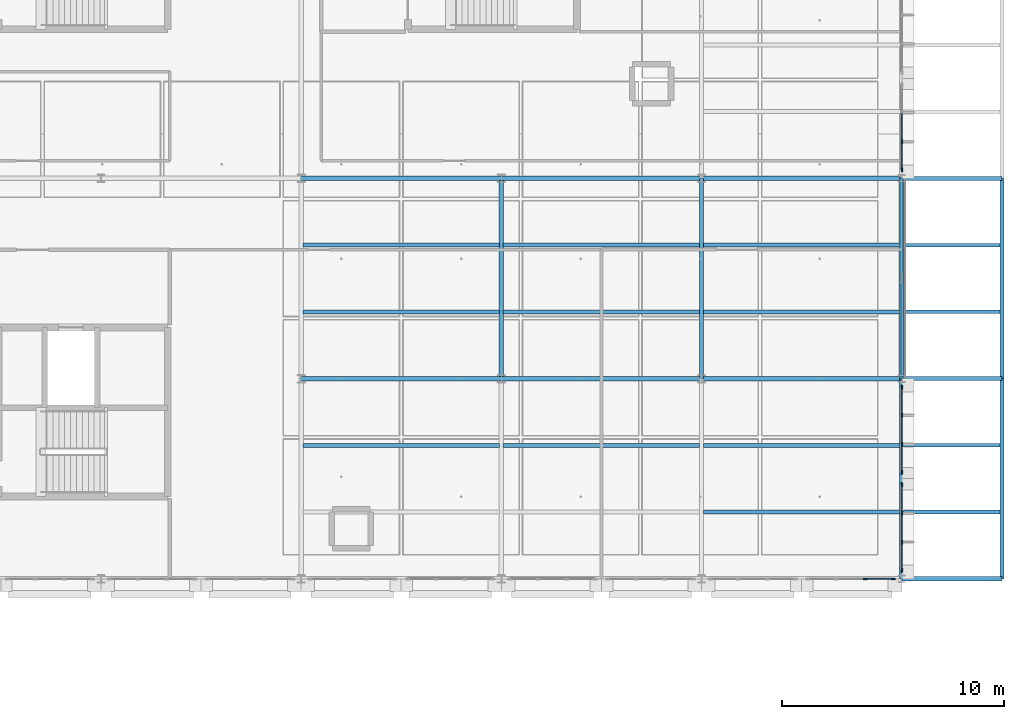
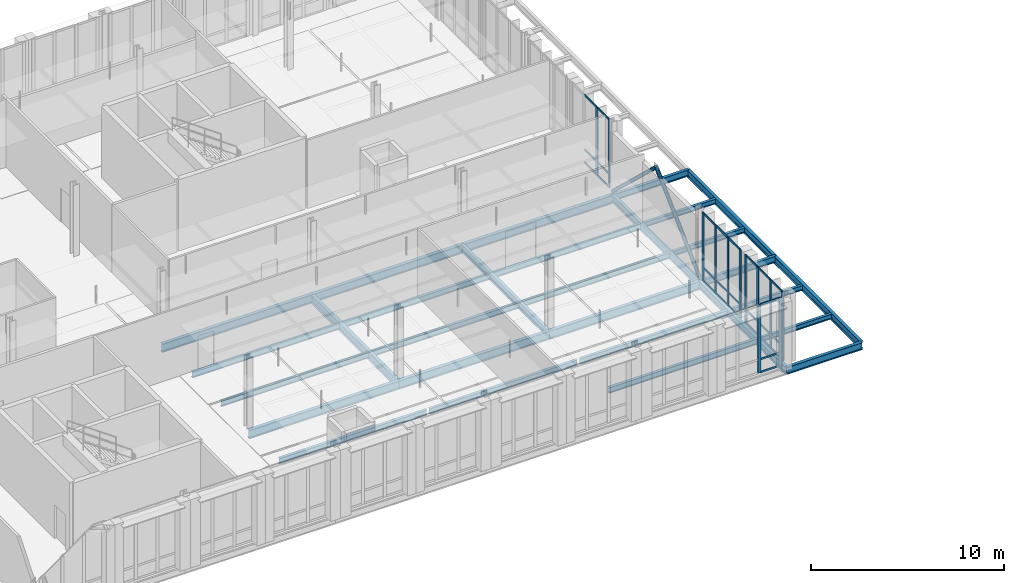
# One storey, part 68 of 140: 41 members, 29 beams, 4 elements without a shape of their own.
"""IFC4 building model written with IfcOpenShell, lengths in metres."""

from ifc_helpers import new_model, si_unit, direction, frame, origin, origin_2d, place, context, subcontext, project, spatial, rectangle, hollow_circle, i_section, extrude, material, material_profile, profile_set, type_object, element, aggregate, save


model = new_model("IFC4")

# Units and contexts
model_context = context("Model", 3, precision=1e-05, world=origin(), true_north=direction((0.0, 1.0)))
body_context = subcontext(model_context, "Body", "Model", "MODEL_VIEW")
ifc_project = project(units=[si_unit("LENGTHUNIT", "METRE"), si_unit("AREAUNIT", "SQUARE_METRE"), si_unit("VOLUMEUNIT", "CUBIC_METRE"), si_unit("PLANEANGLEUNIT", "RADIAN"), si_unit("MASSUNIT", "GRAM", prefix="KILO"), si_unit("THERMODYNAMICTEMPERATUREUNIT", "KELVIN"), si_unit("POWERUNIT", "WATT")], contexts=[model_context])

# Site, building, storey
site_placement = place(None, origin())
site = spatial("IfcSite", under=ifc_project, at=site_placement, CompositionType="ELEMENT")
building_placement = place(site_placement, origin())
building = spatial("IfcBuilding", under=site, at=building_placement, Name="Tallowbark Science Centre", CompositionType="ELEMENT")
storey_placement = place(building_placement, frame((0.0, 0.0, 9.89990234375)))
storey = spatial("IfcBuildingStorey", under=building, at=storey_placement, Name="L02", CompositionType="ELEMENT", Elevation=9.89990234375)

# Beams
ifc_material_1 = material(Name="Structural Steel Grade 300PLUS (300 MPa)", Category="steel")
ifc_material_profile_1 = material_profile(ifc_material_1, i_section(OverallWidth=0.177734375, OverallDepth=0.406494140625, WebThickness=0.0078125, FlangeThickness=0.0126953125, FilletRadius=0.011474609375, at=origin_2d()), Name="410UB59.7")
ifc_profile_set_1 = profile_set([ifc_material_profile_1], Name="Structural Steel Grade 300PLUS (300 MPa)")
beam_type_1 = type_object("IfcBeamType", Name="BM-UB410", PredefinedType="BEAM", material=ifc_profile_set_1)
for number, where, z_axis, x_axis, name in (
    (1, (157.5, 81.0, -0.383056640625), (1.0, 0.0, 0.0), (0.0, 1.0, 0.0), "Primary Girder GRDX-L02-1575-1620-810"),
    (2, (157.5, 90.0, -0.383056640625), (1.0, 0.0, 0.0), (0.0, 1.0, 0.0), "Primary Girder GRDX-L02-1575-1620-900"),
):
    element("IfcBeam", number, at=place(storey_placement, frame(where, z_axis=z_axis, x_axis=x_axis)), inside=storey, type_object=beam_type_1, Name=name, PredefinedType="BEAM", context=body_context, shape_type="SweptSolid", body=[
        extrude(i_section(OverallWidth=0.177734375, OverallDepth=0.406494140625, WebThickness=0.0078125, FlangeThickness=0.0126953125, FilletRadius=0.011474609375, at=origin_2d()), origin(), (0.0, 0.0, 1.0), 4.5),
    ])
ifc_material_profile_2 = material_profile(ifc_material_1, i_section(OverallWidth=0.208984375, OverallDepth=0.532958984375, WebThickness=0.01025390625, FlangeThickness=0.015625, FilletRadius=0.013916015625, at=origin_2d()), Name="530UB92.4")
ifc_profile_set_2 = profile_set([ifc_material_profile_2], Name="Structural Steel Grade 300PLUS (300 MPa)")
beam_type_2 = type_object("IfcBeamType", Name="BM-UB530A", PredefinedType="BEAM", material=ifc_profile_set_2)
for number, where, z_axis, x_axis, name in (
    (3, (130.5, 81.0, -0.4462890625), (1.0, 0.0, 0.0), (0.0, 1.0, 0.0), "Primary Girder GRDX-L02-1305-1395-810"),
    (4, (139.5, 81.0, -0.4462890625), (1.0, 0.0, 0.0), (0.0, 1.0, 0.0), "Primary Girder GRDX-L02-1395-1485-810"),
    (5, (148.5, 81.0, -0.4462890625), (1.0, 0.0, 0.0), (0.0, 1.0, 0.0), "Primary Girder GRDX-L02-1485-1575-810"),
    (6, (130.5, 90.0, -0.4462890625), (1.0, 0.0, 0.0), (0.0, 1.0, 0.0), "Primary Girder GRDX-L02-1305-1395-900"),
    (7, (139.5, 90.0, -0.4462890625), (1.0, 0.0, 0.0), (0.0, 1.0, 0.0), "Primary Girder GRDX-L02-1395-1485-900"),
    (8, (148.5, 90.0, -0.4462890625), (1.0, 0.0, 0.0), (0.0, 1.0, 0.0), "Primary Girder GRDX-L02-1485-1575-900"),
):
    element("IfcBeam", number, at=place(storey_placement, frame(where, z_axis=z_axis, x_axis=x_axis)), inside=storey, type_object=beam_type_2, Name=name, PredefinedType="BEAM", context=body_context, shape_type="SweptSolid", body=[
        extrude(i_section(OverallWidth=0.208984375, OverallDepth=0.532958984375, WebThickness=0.01025390625, FlangeThickness=0.015625, FilletRadius=0.013916015625, at=origin_2d()), origin(), (0.0, 0.0, 1.0), 9.0),
    ])
ifc_material_profile_3 = material_profile(ifc_material_1, i_section(OverallWidth=0.208740234375, OverallDepth=0.5283203125, WebThickness=0.009521484375, FlangeThickness=0.01318359375, FilletRadius=0.013916015625, at=origin_2d()), Name="530UB82.0")
ifc_profile_set_3 = profile_set([ifc_material_profile_3], Name="Structural Steel Grade 300PLUS (300 MPa)")
beam_type_3 = type_object("IfcBeamType", Name="BM-UB530B", PredefinedType="BEAM", material=ifc_profile_set_3)
beam_1_placement = place(storey_placement, frame((139.5, 81.0, -0.444091796875), z_axis=(0.0, 1.0, 0.0), x_axis=(-1.0, 0.0, 0.0)))
element("IfcBeam", 9, at=beam_1_placement, inside=storey, type_object=beam_type_3, Name="Primary Girder GRDY-L02-1395-810-900", PredefinedType="BEAM", context=body_context, shape_type="SweptSolid", body=[
    extrude(i_section(OverallWidth=0.208740234375, OverallDepth=0.5283203125, WebThickness=0.009521484375, FlangeThickness=0.01318359375, FilletRadius=0.013916015625, at=origin_2d()), origin(), (0.0, 0.0, 1.0), 9.0),
])

# Members
ifc_material_2 = material(Name="Structural Steel Grade C350L0 (350 MPa)", Category="steel")
ifc_material_profile_4 = material_profile(ifc_material_2, hollow_circle(Radius=0.109619140625, WallThickness=0.00830078125, at=origin_2d()), Name="219.1x8.2CHS")
ifc_profile_set_4 = profile_set([ifc_material_profile_4], Name="Structural Steel Grade C350L0 (350 MPa)")
member_type_1 = type_object("IfcMemberType", Name="CBF-219CHS", PredefinedType="BRACE", material=ifc_profile_set_4)
for number, where, z_axis, x_axis, name in (
    (10, (157.5, 81.0, 0.0), (0.0, 0.72701315255, 0.686623532964), (-1.0, 0.0, 0.0), "Concentric Chevron Brace CBF-OBS-E1B L02 Left"),
    (11, (157.5, 90.0, 0.0), (0.0, -0.72701315255, 0.686623532964), (1.0, 0.0, 0.0), "Concentric Chevron Brace CBF-OBS-E1B L02 Right"),
):
    element("IfcMember", number, at=place(storey_placement, frame(where, z_axis=z_axis, x_axis=x_axis)), inside=storey, type_object=member_type_1, Name=name, PredefinedType="BRACE", context=body_context, shape_type="SweptSolid", body=[
        extrude(hollow_circle(Radius=0.109619140625, WallThickness=0.00830078125, at=origin_2d()), origin(), (0.0, 0.0, 1.0), 6.189697265625),
    ])

# Curtain wall, members
ifc_material_3 = material(Name="Unitised Thermally Broken Aluminium and Low-E Double Glazing", Category="aluminium")
curtain_wall_type = type_object("IfcCurtainWallType", Name="CW-SYS-FACADE", PredefinedType="NOTDEFINED", material=ifc_material_3)
curtain_wall_1_placement = place(storey_placement, origin())
curtain_wall_1 = element("IfcCurtainWall", 12, at=curtain_wall_1_placement, inside=storey, type_object=curtain_wall_type, Name="Unitised Curtain Wall OBS-S-148B CW-L02-155", PredefinedType="NOTDEFINED")
ifc_material_4 = material(Name="Anodised Architectural Aluminium Alloy 6063-T6", Category="aluminium")
ifc_material_profile_5 = material_profile(ifc_material_4, rectangle(XDim=0.06494140625, YDim=0.179931640625, at=origin_2d()), Name="ALU65x180")
ifc_profile_set_5 = profile_set([ifc_material_profile_5], Name="Anodised Architectural Aluminium Alloy 6063-T6")
member_type_2 = type_object("IfcMemberType", Name="CWM-MUL-220", PredefinedType="MULLION", material=ifc_profile_set_5)
member_1_placement = place(storey_placement, frame((155.85009765625, 72.0, 0.0), z_axis=(0.0, 0.0, 1.0), x_axis=(0.0, 1.0, 0.0)))
member_1 = element("IfcMember", 13, at=member_1_placement, type_object=member_type_2, Name="CW-01 mullion 3", PredefinedType="MULLION", context=body_context, shape_type="SweptSolid", body=[
    extrude(rectangle(XDim=0.06494140625, YDim=0.179931640625, at=origin_2d()), origin(), (0.0, 0.0, 1.0), 4.320068359375),
])
member_2_placement = place(storey_placement, frame((157.117431640625, 72.0, 0.0), z_axis=(0.0, 0.0, 1.0), x_axis=(0.0, 1.0, 0.0)))
member_2 = element("IfcMember", 14, at=member_2_placement, type_object=member_type_2, Name="CW-01 mullion 4", PredefinedType="MULLION", context=body_context, shape_type="SweptSolid", body=[
    extrude(rectangle(XDim=0.06494140625, YDim=0.179931640625, at=origin_2d()), origin(), (0.0, 0.0, 1.0), 4.320068359375),
])

curtain_wall_2_placement = place(storey_placement, origin())
curtain_wall_2 = element("IfcCurtainWall", 15, at=curtain_wall_2_placement, inside=storey, type_object=curtain_wall_type, Name="Unitised Curtain Wall OBS-E-72A CW-L02-158", PredefinedType="NOTDEFINED")
member_3_placement = place(storey_placement, frame((157.5, 72.382568359375, 0.0), z_axis=(0.0, 0.0, 1.0), x_axis=(-1.0, 0.0, 0.0)))
member_3 = element("IfcMember", 16, at=member_3_placement, type_object=member_type_2, Name="CW-01 mullion 1", PredefinedType="MULLION", context=body_context, shape_type="SweptSolid", body=[
    extrude(rectangle(XDim=0.06494140625, YDim=0.179931640625, at=origin_2d()), origin(), (0.0, 0.0, 1.0), 4.320068359375),
])
member_4_placement = place(storey_placement, frame((157.5, 73.64990234375, 0.0), z_axis=(0.0, 0.0, 1.0), x_axis=(-1.0, 0.0, 0.0)))
member_4 = element("IfcMember", 17, at=member_4_placement, type_object=member_type_2, Name="CW-01 mullion 2", PredefinedType="MULLION", context=body_context, shape_type="SweptSolid", body=[
    extrude(rectangle(XDim=0.06494140625, YDim=0.179931640625, at=origin_2d()), origin(), (0.0, 0.0, 1.0), 4.320068359375),
])
member_5_placement = place(storey_placement, frame((157.5, 74.949951171875, 0.0), z_axis=(0.0, 0.0, 1.0), x_axis=(-1.0, 0.0, 0.0)))
member_5 = element("IfcMember", 18, at=member_5_placement, type_object=member_type_2, Name="CW-01 mullion 3", PredefinedType="MULLION", context=body_context, shape_type="SweptSolid", body=[
    extrude(rectangle(XDim=0.06494140625, YDim=0.179931640625, at=origin_2d()), origin(), (0.0, 0.0, 1.0), 4.320068359375),
])
member_6_placement = place(storey_placement, frame((157.5, 76.217529296875, 0.0), z_axis=(0.0, 0.0, 1.0), x_axis=(-1.0, 0.0, 0.0)))
member_6 = element("IfcMember", 19, at=member_6_placement, type_object=member_type_2, Name="CW-01 mullion 4", PredefinedType="MULLION", context=body_context, shape_type="SweptSolid", body=[
    extrude(rectangle(XDim=0.06494140625, YDim=0.179931640625, at=origin_2d()), origin(), (0.0, 0.0, 1.0), 4.320068359375),
])

curtain_wall_3_placement = place(storey_placement, origin())
curtain_wall_3 = element("IfcCurtainWall", 20, at=curtain_wall_3_placement, inside=storey, type_object=curtain_wall_type, Name="Unitised Curtain Wall OBS-E-72B CW-L02-159", PredefinedType="NOTDEFINED")
member_7_placement = place(storey_placement, frame((157.5, 76.782470703125, 0.0), z_axis=(0.0, 0.0, 1.0), x_axis=(-1.0, 0.0, 0.0)))
member_7 = element("IfcMember", 21, at=member_7_placement, type_object=member_type_2, Name="CW-01 mullion 1", PredefinedType="MULLION", context=body_context, shape_type="SweptSolid", body=[
    extrude(rectangle(XDim=0.06494140625, YDim=0.179931640625, at=origin_2d()), origin(), (0.0, 0.0, 1.0), 4.320068359375),
])
member_8_placement = place(storey_placement, frame((157.5, 78.050048828125, 0.0), z_axis=(0.0, 0.0, 1.0), x_axis=(-1.0, 0.0, 0.0)))
member_8 = element("IfcMember", 22, at=member_8_placement, type_object=member_type_2, Name="CW-01 mullion 2", PredefinedType="MULLION", context=body_context, shape_type="SweptSolid", body=[
    extrude(rectangle(XDim=0.06494140625, YDim=0.179931640625, at=origin_2d()), origin(), (0.0, 0.0, 1.0), 4.320068359375),
])
member_9_placement = place(storey_placement, frame((157.5, 79.35009765625, 0.0), z_axis=(0.0, 0.0, 1.0), x_axis=(-1.0, 0.0, 0.0)))
member_9 = element("IfcMember", 23, at=member_9_placement, type_object=member_type_2, Name="CW-01 mullion 3", PredefinedType="MULLION", context=body_context, shape_type="SweptSolid", body=[
    extrude(rectangle(XDim=0.06494140625, YDim=0.179931640625, at=origin_2d()), origin(), (0.0, 0.0, 1.0), 4.320068359375),
])
member_10_placement = place(storey_placement, frame((157.5, 80.617431640625, 0.0), z_axis=(0.0, 0.0, 1.0), x_axis=(-1.0, 0.0, 0.0)))
member_10 = element("IfcMember", 24, at=member_10_placement, type_object=member_type_2, Name="CW-01 mullion 4", PredefinedType="MULLION", context=body_context, shape_type="SweptSolid", body=[
    extrude(rectangle(XDim=0.06494140625, YDim=0.179931640625, at=origin_2d()), origin(), (0.0, 0.0, 1.0), 4.320068359375),
])

curtain_wall_4_placement = place(storey_placement, origin())
curtain_wall_4 = element("IfcCurtainWall", 25, at=curtain_wall_4_placement, inside=storey, type_object=curtain_wall_type, Name="Unitised Curtain Wall OBS-E-90A CW-L02-160", PredefinedType="NOTDEFINED")
member_11_placement = place(storey_placement, frame((157.5, 90.382568359375, 0.0), z_axis=(0.0, 0.0, 1.0), x_axis=(-1.0, 0.0, 0.0)))
member_11 = element("IfcMember", 26, at=member_11_placement, type_object=member_type_2, Name="CW-01 mullion 1", PredefinedType="MULLION", context=body_context, shape_type="SweptSolid", body=[
    extrude(rectangle(XDim=0.06494140625, YDim=0.179931640625, at=origin_2d()), origin(), (0.0, 0.0, 1.0), 4.320068359375),
])
member_12_placement = place(storey_placement, frame((157.5, 91.64990234375, 0.0), z_axis=(0.0, 0.0, 1.0), x_axis=(-1.0, 0.0, 0.0)))
member_12 = element("IfcMember", 27, at=member_12_placement, type_object=member_type_2, Name="CW-01 mullion 2", PredefinedType="MULLION", context=body_context, shape_type="SweptSolid", body=[
    extrude(rectangle(XDim=0.06494140625, YDim=0.179931640625, at=origin_2d()), origin(), (0.0, 0.0, 1.0), 4.320068359375),
])

# Member
ifc_material_profile_6 = material_profile(ifc_material_4, rectangle(XDim=0.054931640625, YDim=0.1201171875, at=origin_2d()), Name="ALU55x120")
ifc_profile_set_6 = profile_set([ifc_material_profile_6], Name="Anodised Architectural Aluminium Alloy 6063-T6")
member_type_3 = type_object("IfcMemberType", Name="CWM-TRN-150", PredefinedType="USERDEFINED", material=ifc_profile_set_6)
member_13_placement = place(storey_placement, frame((155.882568359375, 72.0, 0.027587890625), z_axis=(1.0, 0.0, 0.0), x_axis=(0.0, 1.0, 0.0)))
member_13 = element("IfcMember", 28, at=member_13_placement, type_object=member_type_3, Name="CW-01 transom 3.1", ObjectType="TRANSOM", PredefinedType="USERDEFINED", context=body_context, shape_type="SweptSolid", body=[
    extrude(rectangle(XDim=0.054931640625, YDim=0.1201171875, at=origin_2d()), origin(), (0.0, 0.0, 1.0), 1.202392578125),
])

member_14_placement = place(storey_placement, frame((155.882568359375, 72.0, 0.85009765625), z_axis=(1.0, 0.0, 0.0), x_axis=(0.0, 1.0, 0.0)))
member_14 = element("IfcMember", 29, at=member_14_placement, type_object=member_type_3, Name="CW-01 transom 3.2", ObjectType="TRANSOM", PredefinedType="USERDEFINED", context=body_context, shape_type="SweptSolid", body=[
    extrude(rectangle(XDim=0.054931640625, YDim=0.1201171875, at=origin_2d()), origin(), (0.0, 0.0, 1.0), 1.202392578125),
])

member_15_placement = place(storey_placement, frame((155.882568359375, 72.0, 4.29248046875), z_axis=(1.0, 0.0, 0.0), x_axis=(0.0, 1.0, 0.0)))
member_15 = element("IfcMember", 30, at=member_15_placement, type_object=member_type_3, Name="CW-01 transom 3.3", ObjectType="TRANSOM", PredefinedType="USERDEFINED", context=body_context, shape_type="SweptSolid", body=[
    extrude(rectangle(XDim=0.054931640625, YDim=0.1201171875, at=origin_2d()), origin(), (0.0, 0.0, 1.0), 1.202392578125),
])

aggregate(curtain_wall_1, [member_1, member_2, member_13, member_14, member_15])

member_16_placement = place(storey_placement, frame((157.5, 72.4150390625, 0.027587890625), z_axis=(0.0, 1.0, 0.0), x_axis=(-1.0, 0.0, 0.0)))
member_16 = element("IfcMember", 31, at=member_16_placement, type_object=member_type_3, Name="CW-01 transom 1.1", ObjectType="TRANSOM", PredefinedType="USERDEFINED", context=body_context, shape_type="SweptSolid", body=[
    extrude(rectangle(XDim=0.054931640625, YDim=0.1201171875, at=origin_2d()), origin(), (0.0, 0.0, 1.0), 1.202392578125),
])

member_17_placement = place(storey_placement, frame((157.5, 72.4150390625, 0.85009765625), z_axis=(0.0, 1.0, 0.0), x_axis=(-1.0, 0.0, 0.0)))
member_17 = element("IfcMember", 32, at=member_17_placement, type_object=member_type_3, Name="CW-01 transom 1.2", ObjectType="TRANSOM", PredefinedType="USERDEFINED", context=body_context, shape_type="SweptSolid", body=[
    extrude(rectangle(XDim=0.054931640625, YDim=0.1201171875, at=origin_2d()), origin(), (0.0, 0.0, 1.0), 1.202392578125),
])

member_18_placement = place(storey_placement, frame((157.5, 72.4150390625, 4.29248046875), z_axis=(0.0, 1.0, 0.0), x_axis=(-1.0, 0.0, 0.0)))
member_18 = element("IfcMember", 33, at=member_18_placement, type_object=member_type_3, Name="CW-01 transom 1.3", ObjectType="TRANSOM", PredefinedType="USERDEFINED", context=body_context, shape_type="SweptSolid", body=[
    extrude(rectangle(XDim=0.054931640625, YDim=0.1201171875, at=origin_2d()), origin(), (0.0, 0.0, 1.0), 1.202392578125),
])

member_19_placement = place(storey_placement, frame((157.5, 73.6826171875, 0.027587890625), z_axis=(0.0, 1.0, 0.0), x_axis=(-1.0, 0.0, 0.0)))
member_19 = element("IfcMember", 34, at=member_19_placement, type_object=member_type_3, Name="CW-01 transom 2.1", ObjectType="TRANSOM", PredefinedType="USERDEFINED", context=body_context, shape_type="SweptSolid", body=[
    extrude(rectangle(XDim=0.054931640625, YDim=0.1201171875, at=origin_2d()), origin(), (0.0, 0.0, 1.0), 1.23486328125),
])

member_20_placement = place(storey_placement, frame((157.5, 73.6826171875, 0.85009765625), z_axis=(0.0, 1.0, 0.0), x_axis=(-1.0, 0.0, 0.0)))
member_20 = element("IfcMember", 35, at=member_20_placement, type_object=member_type_3, Name="CW-01 transom 2.2", ObjectType="TRANSOM", PredefinedType="USERDEFINED", context=body_context, shape_type="SweptSolid", body=[
    extrude(rectangle(XDim=0.054931640625, YDim=0.1201171875, at=origin_2d()), origin(), (0.0, 0.0, 1.0), 1.23486328125),
])

member_21_placement = place(storey_placement, frame((157.5, 73.6826171875, 4.29248046875), z_axis=(0.0, 1.0, 0.0), x_axis=(-1.0, 0.0, 0.0)))
member_21 = element("IfcMember", 36, at=member_21_placement, type_object=member_type_3, Name="CW-01 transom 2.3", ObjectType="TRANSOM", PredefinedType="USERDEFINED", context=body_context, shape_type="SweptSolid", body=[
    extrude(rectangle(XDim=0.054931640625, YDim=0.1201171875, at=origin_2d()), origin(), (0.0, 0.0, 1.0), 1.23486328125),
])

member_22_placement = place(storey_placement, frame((157.5, 74.982421875, 0.027587890625), z_axis=(0.0, 1.0, 0.0), x_axis=(-1.0, 0.0, 0.0)))
member_22 = element("IfcMember", 37, at=member_22_placement, type_object=member_type_3, Name="CW-01 transom 3.1", ObjectType="TRANSOM", PredefinedType="USERDEFINED", context=body_context, shape_type="SweptSolid", body=[
    extrude(rectangle(XDim=0.054931640625, YDim=0.1201171875, at=origin_2d()), origin(), (0.0, 0.0, 1.0), 1.20263671875),
])

member_23_placement = place(storey_placement, frame((157.5, 74.982421875, 0.85009765625), z_axis=(0.0, 1.0, 0.0), x_axis=(-1.0, 0.0, 0.0)))
member_23 = element("IfcMember", 38, at=member_23_placement, type_object=member_type_3, Name="CW-01 transom 3.2", ObjectType="TRANSOM", PredefinedType="USERDEFINED", context=body_context, shape_type="SweptSolid", body=[
    extrude(rectangle(XDim=0.054931640625, YDim=0.1201171875, at=origin_2d()), origin(), (0.0, 0.0, 1.0), 1.20263671875),
])

member_24_placement = place(storey_placement, frame((157.5, 74.982421875, 4.29248046875), z_axis=(0.0, 1.0, 0.0), x_axis=(-1.0, 0.0, 0.0)))
member_24 = element("IfcMember", 39, at=member_24_placement, type_object=member_type_3, Name="CW-01 transom 3.3", ObjectType="TRANSOM", PredefinedType="USERDEFINED", context=body_context, shape_type="SweptSolid", body=[
    extrude(rectangle(XDim=0.054931640625, YDim=0.1201171875, at=origin_2d()), origin(), (0.0, 0.0, 1.0), 1.20263671875),
])

aggregate(curtain_wall_2, [member_3, member_4, member_5, member_6, member_16, member_17, member_18, member_19, member_20, member_21, member_22, member_23, member_24])

member_25_placement = place(storey_placement, frame((157.5, 76.81494140625, 0.027587890625), z_axis=(0.0, 1.0, 0.0), x_axis=(-1.0, 0.0, 0.0)))
member_25 = element("IfcMember", 40, at=member_25_placement, type_object=member_type_3, Name="CW-01 transom 1.1", ObjectType="TRANSOM", PredefinedType="USERDEFINED", context=body_context, shape_type="SweptSolid", body=[
    extrude(rectangle(XDim=0.054931640625, YDim=0.1201171875, at=origin_2d()), origin(), (0.0, 0.0, 1.0), 1.20263671875),
])

member_26_placement = place(storey_placement, frame((157.5, 76.81494140625, 0.85009765625), z_axis=(0.0, 1.0, 0.0), x_axis=(-1.0, 0.0, 0.0)))
member_26 = element("IfcMember", 41, at=member_26_placement, type_object=member_type_3, Name="CW-01 transom 1.2", ObjectType="TRANSOM", PredefinedType="USERDEFINED", context=body_context, shape_type="SweptSolid", body=[
    extrude(rectangle(XDim=0.054931640625, YDim=0.1201171875, at=origin_2d()), origin(), (0.0, 0.0, 1.0), 1.20263671875),
])

member_27_placement = place(storey_placement, frame((157.5, 76.81494140625, 4.29248046875), z_axis=(0.0, 1.0, 0.0), x_axis=(-1.0, 0.0, 0.0)))
member_27 = element("IfcMember", 42, at=member_27_placement, type_object=member_type_3, Name="CW-01 transom 1.3", ObjectType="TRANSOM", PredefinedType="USERDEFINED", context=body_context, shape_type="SweptSolid", body=[
    extrude(rectangle(XDim=0.054931640625, YDim=0.1201171875, at=origin_2d()), origin(), (0.0, 0.0, 1.0), 1.20263671875),
])

member_28_placement = place(storey_placement, frame((157.5, 78.08251953125, 0.027587890625), z_axis=(0.0, 1.0, 0.0), x_axis=(-1.0, 0.0, 0.0)))
member_28 = element("IfcMember", 43, at=member_28_placement, type_object=member_type_3, Name="CW-01 transom 2.1", ObjectType="TRANSOM", PredefinedType="USERDEFINED", context=body_context, shape_type="SweptSolid", body=[
    extrude(rectangle(XDim=0.054931640625, YDim=0.1201171875, at=origin_2d()), origin(), (0.0, 0.0, 1.0), 1.23486328125),
])

member_29_placement = place(storey_placement, frame((157.5, 78.08251953125, 0.85009765625), z_axis=(0.0, 1.0, 0.0), x_axis=(-1.0, 0.0, 0.0)))
member_29 = element("IfcMember", 44, at=member_29_placement, type_object=member_type_3, Name="CW-01 transom 2.2", ObjectType="TRANSOM", PredefinedType="USERDEFINED", context=body_context, shape_type="SweptSolid", body=[
    extrude(rectangle(XDim=0.054931640625, YDim=0.1201171875, at=origin_2d()), origin(), (0.0, 0.0, 1.0), 1.23486328125),
])

member_30_placement = place(storey_placement, frame((157.5, 78.08251953125, 4.29248046875), z_axis=(0.0, 1.0, 0.0), x_axis=(-1.0, 0.0, 0.0)))
member_30 = element("IfcMember", 45, at=member_30_placement, type_object=member_type_3, Name="CW-01 transom 2.3", ObjectType="TRANSOM", PredefinedType="USERDEFINED", context=body_context, shape_type="SweptSolid", body=[
    extrude(rectangle(XDim=0.054931640625, YDim=0.1201171875, at=origin_2d()), origin(), (0.0, 0.0, 1.0), 1.23486328125),
])

member_31_placement = place(storey_placement, frame((157.5, 79.382568359375, 0.027587890625), z_axis=(0.0, 1.0, 0.0), x_axis=(-1.0, 0.0, 0.0)))
member_31 = element("IfcMember", 46, at=member_31_placement, type_object=member_type_3, Name="CW-01 transom 3.1", ObjectType="TRANSOM", PredefinedType="USERDEFINED", context=body_context, shape_type="SweptSolid", body=[
    extrude(rectangle(XDim=0.054931640625, YDim=0.1201171875, at=origin_2d()), origin(), (0.0, 0.0, 1.0), 1.202392578125),
])

member_32_placement = place(storey_placement, frame((157.5, 79.382568359375, 0.85009765625), z_axis=(0.0, 1.0, 0.0), x_axis=(-1.0, 0.0, 0.0)))
member_32 = element("IfcMember", 47, at=member_32_placement, type_object=member_type_3, Name="CW-01 transom 3.2", ObjectType="TRANSOM", PredefinedType="USERDEFINED", context=body_context, shape_type="SweptSolid", body=[
    extrude(rectangle(XDim=0.054931640625, YDim=0.1201171875, at=origin_2d()), origin(), (0.0, 0.0, 1.0), 1.202392578125),
])

member_33_placement = place(storey_placement, frame((157.5, 79.382568359375, 4.29248046875), z_axis=(0.0, 1.0, 0.0), x_axis=(-1.0, 0.0, 0.0)))
member_33 = element("IfcMember", 48, at=member_33_placement, type_object=member_type_3, Name="CW-01 transom 3.3", ObjectType="TRANSOM", PredefinedType="USERDEFINED", context=body_context, shape_type="SweptSolid", body=[
    extrude(rectangle(XDim=0.054931640625, YDim=0.1201171875, at=origin_2d()), origin(), (0.0, 0.0, 1.0), 1.202392578125),
])

aggregate(curtain_wall_3, [member_7, member_8, member_9, member_10, member_25, member_26, member_27, member_28, member_29, member_30, member_31, member_32, member_33])

member_34_placement = place(storey_placement, frame((157.5, 90.4150390625, 0.027587890625), z_axis=(0.0, 1.0, 0.0), x_axis=(-1.0, 0.0, 0.0)))
member_34 = element("IfcMember", 49, at=member_34_placement, type_object=member_type_3, Name="CW-01 transom 1.1", ObjectType="TRANSOM", PredefinedType="USERDEFINED", context=body_context, shape_type="SweptSolid", body=[
    extrude(rectangle(XDim=0.054931640625, YDim=0.1201171875, at=origin_2d()), origin(), (0.0, 0.0, 1.0), 1.202392578125),
])

member_35_placement = place(storey_placement, frame((157.5, 90.4150390625, 0.85009765625), z_axis=(0.0, 1.0, 0.0), x_axis=(-1.0, 0.0, 0.0)))
member_35 = element("IfcMember", 50, at=member_35_placement, type_object=member_type_3, Name="CW-01 transom 1.2", ObjectType="TRANSOM", PredefinedType="USERDEFINED", context=body_context, shape_type="SweptSolid", body=[
    extrude(rectangle(XDim=0.054931640625, YDim=0.1201171875, at=origin_2d()), origin(), (0.0, 0.0, 1.0), 1.202392578125),
])

member_36_placement = place(storey_placement, frame((157.5, 90.4150390625, 4.29248046875), z_axis=(0.0, 1.0, 0.0), x_axis=(-1.0, 0.0, 0.0)))
member_36 = element("IfcMember", 51, at=member_36_placement, type_object=member_type_3, Name="CW-01 transom 1.3", ObjectType="TRANSOM", PredefinedType="USERDEFINED", context=body_context, shape_type="SweptSolid", body=[
    extrude(rectangle(XDim=0.054931640625, YDim=0.1201171875, at=origin_2d()), origin(), (0.0, 0.0, 1.0), 1.202392578125),
])

member_37_placement = place(storey_placement, frame((157.5, 91.6826171875, 0.027587890625), z_axis=(0.0, 1.0, 0.0), x_axis=(-1.0, 0.0, 0.0)))
member_37 = element("IfcMember", 52, at=member_37_placement, type_object=member_type_3, Name="CW-01 transom 2.1", ObjectType="TRANSOM", PredefinedType="USERDEFINED", context=body_context, shape_type="SweptSolid", body=[
    extrude(rectangle(XDim=0.054931640625, YDim=0.1201171875, at=origin_2d()), origin(), (0.0, 0.0, 1.0), 1.23486328125),
])

member_38_placement = place(storey_placement, frame((157.5, 91.6826171875, 0.85009765625), z_axis=(0.0, 1.0, 0.0), x_axis=(-1.0, 0.0, 0.0)))
member_38 = element("IfcMember", 53, at=member_38_placement, type_object=member_type_3, Name="CW-01 transom 2.2", ObjectType="TRANSOM", PredefinedType="USERDEFINED", context=body_context, shape_type="SweptSolid", body=[
    extrude(rectangle(XDim=0.054931640625, YDim=0.1201171875, at=origin_2d()), origin(), (0.0, 0.0, 1.0), 1.23486328125),
])

member_39_placement = place(storey_placement, frame((157.5, 91.6826171875, 4.29248046875), z_axis=(0.0, 1.0, 0.0), x_axis=(-1.0, 0.0, 0.0)))
member_39 = element("IfcMember", 54, at=member_39_placement, type_object=member_type_3, Name="CW-01 transom 2.3", ObjectType="TRANSOM", PredefinedType="USERDEFINED", context=body_context, shape_type="SweptSolid", body=[
    extrude(rectangle(XDim=0.054931640625, YDim=0.1201171875, at=origin_2d()), origin(), (0.0, 0.0, 1.0), 1.23486328125),
])

aggregate(curtain_wall_4, [member_11, member_12, member_34, member_35, member_36, member_37, member_38, member_39])

# Beams
ifc_material_profile_7 = material_profile(ifc_material_1, i_section(OverallWidth=0.166015625, OverallDepth=0.30712890625, WebThickness=0.006591796875, FlangeThickness=0.01171875, FilletRadius=0.011474609375, at=origin_2d()), Name="310UB46.2")
ifc_profile_set_7 = profile_set([ifc_material_profile_7], Name="Structural Steel Grade 300PLUS (300 MPa)")
beam_type_4 = type_object("IfcBeamType", Name="JST-UB310", PredefinedType="JOIST", material=ifc_profile_set_7)
for number, where, z_axis, x_axis, name in (
    (55, (157.5849609375, 75.0, -0.33349609375), (1.0, 0.0, 0.0), (0.0, 1.0, 0.0), "Composite Floor Joist JSTX-L02-1575-750"),
    (56, (157.5849609375, 78.0, -0.33349609375), (1.0, 0.0, 0.0), (0.0, 1.0, 0.0), "Composite Floor Joist JSTX-L02-1575-780"),
    (57, (157.5849609375, 84.0, -0.33349609375), (1.0, 0.0, 0.0), (0.0, 1.0, 0.0), "Composite Floor Joist JSTX-L02-1575-840"),
    (58, (157.5849609375, 87.0, -0.33349609375), (1.0, 0.0, 0.0), (0.0, 1.0, 0.0), "Composite Floor Joist JSTX-L02-1575-870"),
):
    element("IfcBeam", number, at=place(storey_placement, frame(where, z_axis=z_axis, x_axis=x_axis)), inside=storey, type_object=beam_type_4, Name=name, PredefinedType="JOIST", context=body_context, shape_type="SweptSolid", body=[
        extrude(i_section(OverallWidth=0.166015625, OverallDepth=0.30712890625, WebThickness=0.006591796875, FlangeThickness=0.01171875, FilletRadius=0.011474609375, at=origin_2d()), origin(), (0.0, 0.0, 1.0), 4.330078125),
    ])
ifc_material_profile_8 = material_profile(ifc_material_1, i_section(OverallWidth=0.172119140625, OverallDepth=0.358642578125, WebThickness=0.008056640625, FlangeThickness=0.012939453125, FilletRadius=0.011474609375, at=origin_2d()), Name="360UB56.7")
ifc_profile_set_8 = profile_set([ifc_material_profile_8], Name="Structural Steel Grade 300PLUS (300 MPa)")
beam_type_5 = type_object("IfcBeamType", Name="JST-UB360", PredefinedType="JOIST", material=ifc_profile_set_8)
for number, where, z_axis, x_axis, name in (
    (59, (130.5849609375, 78.0, -0.359130859375), (1.0, 0.0, 0.0), (0.0, 1.0, 0.0), "Composite Floor Joist JSTX-L02-1305-780"),
    (60, (139.5849609375, 78.0, -0.359130859375), (1.0, 0.0, 0.0), (0.0, 1.0, 0.0), "Composite Floor Joist JSTX-L02-1395-780"),
    (61, (148.5849609375, 75.0, -0.359130859375), (1.0, 0.0, 0.0), (0.0, 1.0, 0.0), "Composite Floor Joist JSTX-L02-1485-750"),
    (62, (148.5849609375, 78.0, -0.359130859375), (1.0, 0.0, 0.0), (0.0, 1.0, 0.0), "Composite Floor Joist JSTX-L02-1485-780"),
    (63, (130.5849609375, 84.0, -0.359130859375), (1.0, 0.0, 0.0), (0.0, 1.0, 0.0), "Composite Floor Joist JSTX-L02-1305-840"),
    (64, (130.5849609375, 87.0, -0.359130859375), (1.0, 0.0, 0.0), (0.0, 1.0, 0.0), "Composite Floor Joist JSTX-L02-1305-870"),
    (65, (139.5849609375, 84.0, -0.359130859375), (1.0, 0.0, 0.0), (0.0, 1.0, 0.0), "Composite Floor Joist JSTX-L02-1395-840"),
    (66, (139.5849609375, 87.0, -0.359130859375), (1.0, 0.0, 0.0), (0.0, 1.0, 0.0), "Composite Floor Joist JSTX-L02-1395-870"),
    (67, (148.5849609375, 84.0, -0.359130859375), (1.0, 0.0, 0.0), (0.0, 1.0, 0.0), "Composite Floor Joist JSTX-L02-1485-840"),
    (68, (148.5849609375, 87.0, -0.359130859375), (1.0, 0.0, 0.0), (0.0, 1.0, 0.0), "Composite Floor Joist JSTX-L02-1485-870"),
):
    element("IfcBeam", number, at=place(storey_placement, frame(where, z_axis=z_axis, x_axis=x_axis)), inside=storey, type_object=beam_type_5, Name=name, PredefinedType="JOIST", context=body_context, shape_type="SweptSolid", body=[
        extrude(i_section(OverallWidth=0.172119140625, OverallDepth=0.358642578125, WebThickness=0.008056640625, FlangeThickness=0.012939453125, FilletRadius=0.011474609375, at=origin_2d()), origin(), (0.0, 0.0, 1.0), 8.830078125),
    ])
ifc_material_profile_9 = material_profile(ifc_material_1, i_section(OverallWidth=0.18994140625, OverallDepth=0.453857421875, WebThickness=0.008544921875, FlangeThickness=0.0126953125, FilletRadius=0.011474609375, at=origin_2d()), Name="460UB67.1")
ifc_profile_set_9 = profile_set([ifc_material_profile_9], Name="Structural Steel Grade 300PLUS (300 MPa)")
beam_type_6 = type_object("IfcBeamType", Name="SPN-UB460", PredefinedType="SPANDREL", material=ifc_profile_set_9)
beam_2_placement = place(storey_placement, frame((157.5, 72.0, -0.40673828125), z_axis=(1.0, 0.0, 0.0), x_axis=(0.0, 1.0, 0.0)))
element("IfcBeam", 69, at=beam_2_placement, inside=storey, type_object=beam_type_6, Name="Primary Girder GRDX-L02-1575-1620-720", PredefinedType="SPANDREL", context=body_context, shape_type="SweptSolid", body=[
    extrude(i_section(OverallWidth=0.18994140625, OverallDepth=0.453857421875, WebThickness=0.008544921875, FlangeThickness=0.0126953125, FilletRadius=0.011474609375, at=origin_2d()), origin(), (0.0, 0.0, 1.0), 4.5),
])
for number, where, z_axis, x_axis, name in (
    (70, (148.5, 81.0, -0.40673828125), (0.0, 1.0, 0.0), (-1.0, 0.0, 0.0), "Primary Girder GRDY-L02-1485-810-900"),
    (71, (157.5, 72.0, -0.40673828125), (0.0, 1.0, 0.0), (-1.0, 0.0, 0.0), "Primary Girder GRDY-L02-1575-720-810"),
    (72, (157.5, 81.0, -0.40673828125), (0.0, 1.0, 0.0), (-1.0, 0.0, 0.0), "Primary Girder GRDY-L02-1575-810-900"),
    (73, (162.0, 72.0, -0.40673828125), (0.0, 1.0, 0.0), (-1.0, 0.0, 0.0), "Primary Girder GRDY-L02-1620-720-810"),
    (74, (162.0, 81.0, -0.40673828125), (0.0, 1.0, 0.0), (-1.0, 0.0, 0.0), "Primary Girder GRDY-L02-1620-810-900"),
):
    element("IfcBeam", number, at=place(storey_placement, frame(where, z_axis=z_axis, x_axis=x_axis)), inside=storey, type_object=beam_type_6, Name=name, PredefinedType="SPANDREL", context=body_context, shape_type="SweptSolid", body=[
        extrude(i_section(OverallWidth=0.18994140625, OverallDepth=0.453857421875, WebThickness=0.008544921875, FlangeThickness=0.0126953125, FilletRadius=0.011474609375, at=origin_2d()), origin(), (0.0, 0.0, 1.0), 9.0),
    ])

save(model, "model.ifc")
